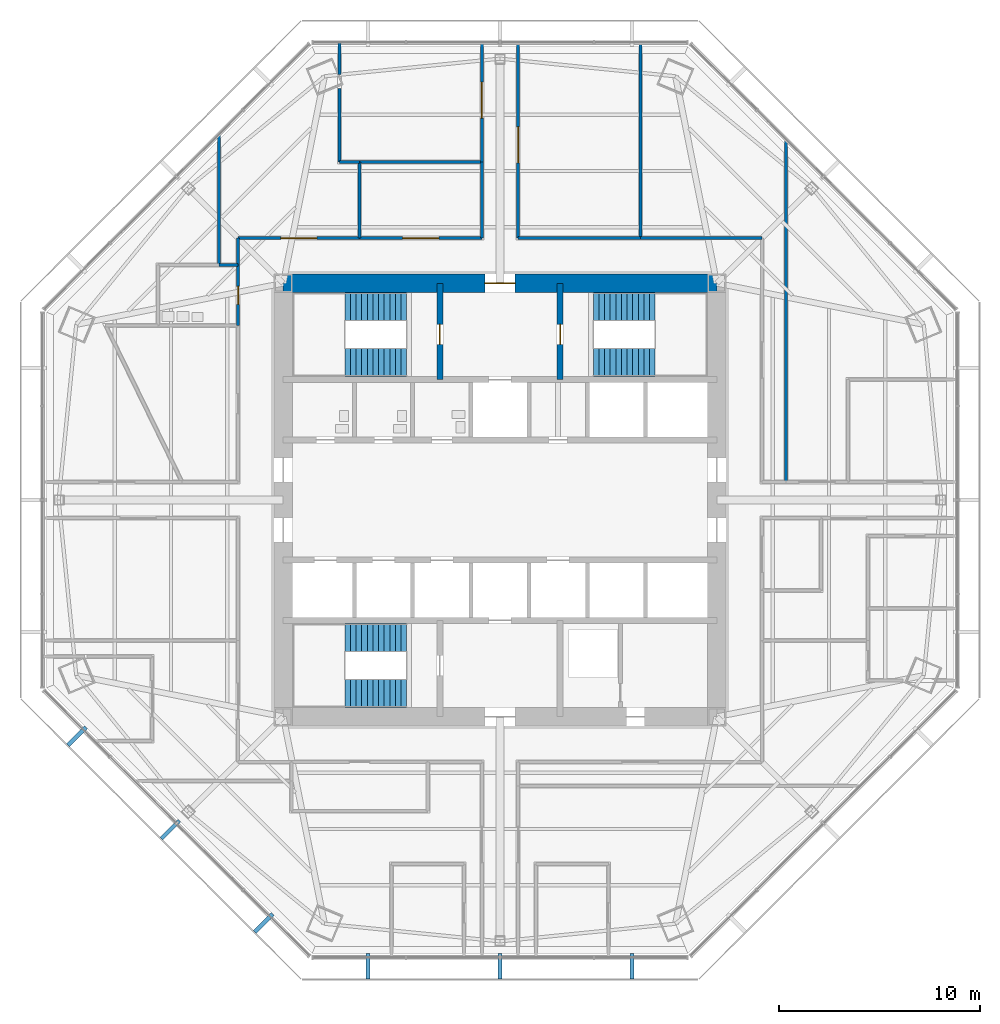
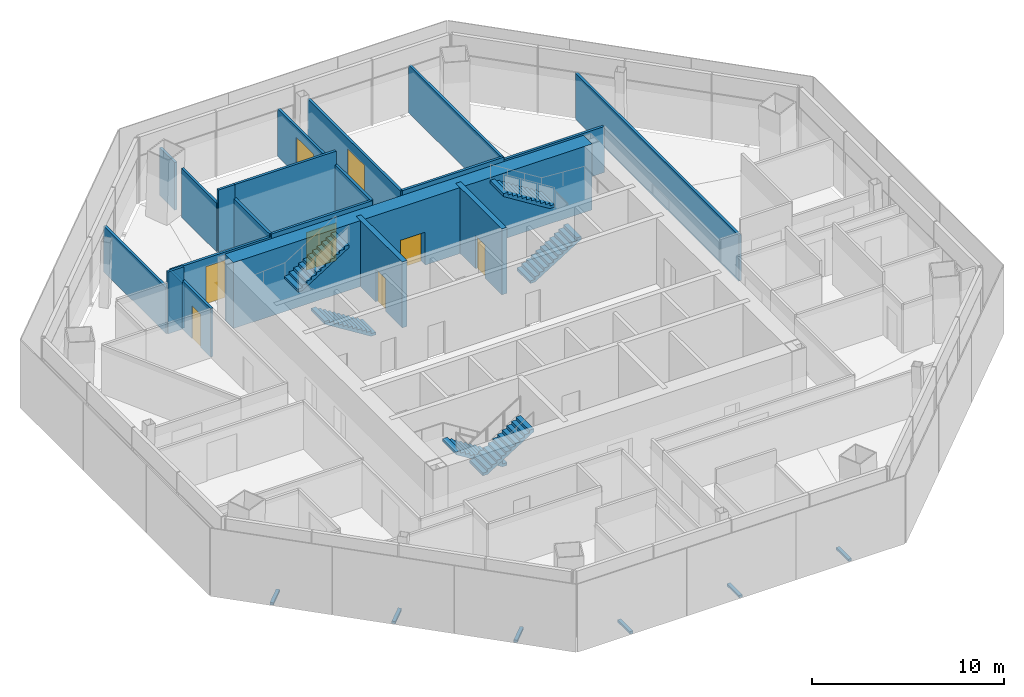
# One storey, part 11 of 15: 21 walls, 8 doors, 6 discrete accessories, 6 stair flights, 8 openings, 3 elements without a shape of their own.
"""IFC4 building model written with IfcOpenShell, lengths in metres."""

from ifc_helpers import new_model, si_unit, direction, frame, frame_2d, origin, origin_2d, place, context, subcontext, project, spatial, polyline, rectangle, outline, extrude, source, transform, mapped, material, layer, layer_set, type_object, type_shapes, element, fill, aggregate, save


model = new_model("IFC4")

# Units and contexts
model_context = context("Model", 3, precision=1e-05, world=origin(), true_north=direction((0.0, 1.0)))
body_context = subcontext(model_context, "Body", "Model", "MODEL_VIEW")
ifc_project = project(units=[si_unit("LENGTHUNIT", "METRE"), si_unit("AREAUNIT", "SQUARE_METRE"), si_unit("VOLUMEUNIT", "CUBIC_METRE"), si_unit("PLANEANGLEUNIT", "RADIAN"), si_unit("MASSUNIT", "GRAM", prefix="KILO")], contexts=[model_context])

# Site, building, storey
site_placement = place(None, origin())
site = spatial("IfcSite", under=ifc_project, at=site_placement, CompositionType="ELEMENT")
building_placement = place(site_placement, origin())
building = spatial("IfcBuilding", under=site, at=building_placement, Name="Mashrafa Tower", CompositionType="ELEMENT")
storey_placement = place(building_placement, frame((0.0, 0.0, 184.800048828125)))
storey = spatial("IfcBuildingStorey", under=building, at=storey_placement, Name="L42", CompositionType="ELEMENT", Elevation=184.800048828125)

# Wall, opening, door
ifc_material_1 = material(Name="Concrete C60/75", Category="concrete")
ifc_layer_1 = layer(ifc_material_1, 0.300048828125)
ifc_layer_set_1 = layer_set([ifc_layer_1], Name="Core wall 300 C60/75")
wall_type_1 = type_object("IfcWallType", Name="Core wall 300 C60/75", PredefinedType="SOLIDWALL", material=ifc_layer_set_1)
wall_1_placement = place(storey_placement, frame((-3.0, 6.0, 0.0), z_axis=(0.0, 0.0, 1.0), x_axis=(0.0, 1.0, 0.0)))
wall_1 = element("IfcWall", 1, at=wall_1_placement, inside=storey, type_object=wall_type_1, Name="Core wall CX-NW L42", PredefinedType="SOLIDWALL", context=body_context, shape_type="SweptSolid", body=[
    extrude(rectangle(XDim=4.800048828125, YDim=0.300048828125, at=frame_2d((2.39990234375, 0.0))), origin(), (0.0, 0.0, 1.0), 4.199951171875),
])
opening_1_placement = place(wall_1_placement, frame((1.75, 0.0, 0.0)))
opening_1 = element("IfcOpeningElement", 2, at=opening_1_placement, cuts=wall_1, Name="Opening 42.030", PredefinedType="OPENING", context=body_context, shape_type="SweptSolid", body=[
    extrude(rectangle(XDim=1.0, YDim=2.10009765625, at=frame_2d((0.5, 1.050048828125))), frame((0.0, 0.159912109375, 0.0), z_axis=(0.0, -1.0, 0.0), x_axis=(1.0, 0.0, 0.0)), (0.0, 0.0, 1.0), 0.320068359375),
])
ifc_material_2 = material(Name="Steel door", Category="steel")
door_type_1 = type_object("IfcDoorType", Name="Stair door 1000 x 2100 90 min", OperationType="USERDEFINED", PredefinedType="DOOR", material=ifc_material_2)
door_1_placement = place(opening_1_placement, origin())
door_1 = element("IfcDoor", 3, at=door_1_placement, inside=storey, type_object=door_type_1, Name="Stair S1 door L42", OperationType="SINGLE_SWING_LEFT", OverallHeight=2.10009765625, OverallWidth=1.0, PredefinedType="DOOR", context=body_context, shape_type="SweptSolid", body=[
    extrude(rectangle(XDim=1.0, YDim=2.10009765625, at=frame_2d((0.5, 1.050048828125))), frame((0.0, 0.02490234375, 0.0), z_axis=(0.0, -1.0, 0.0), x_axis=(1.0, 0.0, 0.0)), (0.0, 0.0, 1.0), 0.050048828125),
])
fill(opening_1, door_1)

wall_2_placement = place(storey_placement, frame((3.0, 6.0, 0.0), z_axis=(0.0, 0.0, 1.0), x_axis=(0.0, 1.0, 0.0)))
wall_2 = element("IfcWall", 4, at=wall_2_placement, inside=storey, type_object=wall_type_1, Name="Core wall CX-NE L42", PredefinedType="SOLIDWALL", context=body_context, shape_type="SweptSolid", body=[
    extrude(rectangle(XDim=4.800048828125, YDim=0.300048828125, at=frame_2d((2.39990234375, 0.0))), origin(), (0.0, 0.0, 1.0), 4.199951171875),
])
opening_2_placement = place(wall_2_placement, frame((1.75, 0.0, 0.0)))
opening_2 = element("IfcOpeningElement", 5, at=opening_2_placement, cuts=wall_2, Name="Opening 42.031", PredefinedType="OPENING", context=body_context, shape_type="SweptSolid", body=[
    extrude(rectangle(XDim=1.0, YDim=2.10009765625, at=frame_2d((0.5, 1.050048828125))), frame((0.0, 0.159912109375, 0.0), z_axis=(0.0, -1.0, 0.0), x_axis=(1.0, 0.0, 0.0)), (0.0, 0.0, 1.0), 0.320068359375),
])
door_2_placement = place(opening_2_placement, frame((1.0, 0.0, 0.0), z_axis=(0.0, 0.0, 1.0), x_axis=(-1.0, 0.0, 0.0)))
door_2 = element("IfcDoor", 6, at=door_2_placement, inside=storey, type_object=door_type_1, Name="Stair S2 door L42", OperationType="SINGLE_SWING_RIGHT", OverallHeight=2.10009765625, OverallWidth=1.0, PredefinedType="DOOR", context=body_context, shape_type="SweptSolid", body=[
    extrude(rectangle(XDim=1.0, YDim=2.10009765625, at=frame_2d((0.5, 1.050048828125))), frame((0.0, 0.02490234375, 0.0), z_axis=(0.0, -1.0, 0.0), x_axis=(1.0, 0.0, 0.0)), (0.0, 0.0, 1.0), 0.050048828125),
])
fill(opening_2, door_2)

ifc_material_3 = material(Name="Concrete C60/75", Category="concrete")
ifc_layer_2 = layer(ifc_material_3, 0.89990234375)
ifc_layer_set_2 = layer_set([ifc_layer_2], Name="Core wall 900 C60/75")
wall_type_2 = type_object("IfcWallType", Name="Core wall 900 C60/75", PredefinedType="SOLIDWALL", material=ifc_layer_set_2)
wall_3_placement = place(storey_placement, frame((10.800048828125, 10.800048828125, 0.0), z_axis=(0.0, 0.0, 1.0), x_axis=(-1.0, 0.0, 0.0)))
wall_3 = element("IfcWall", 7, at=wall_3_placement, inside=storey, type_object=wall_type_2, Name="Core wall CW-N L42", PredefinedType="SOLIDWALL", context=body_context, shape_type="SweptSolid", body=[
    extrude(rectangle(XDim=21.60009765625, YDim=0.89990234375, at=frame_2d((10.800048828125, 0.0))), origin(), (0.0, 0.0, 1.0), 4.199951171875),
])
opening_3_placement = place(wall_3_placement, frame((10.050048828125, 0.0, 0.0)))
opening_3 = element("IfcOpeningElement", 8, at=opening_3_placement, cuts=wall_3, Name="Opening 42.028", PredefinedType="OPENING", context=body_context, shape_type="SweptSolid", body=[
    extrude(rectangle(XDim=1.5, YDim=2.10009765625, at=frame_2d((0.75, 1.050048828125))), frame((0.0, 0.4599609375, 0.0), z_axis=(0.0, -1.0, 0.0), x_axis=(1.0, 0.0, 0.0)), (0.0, 0.0, 1.0), 0.919921875),
])
ifc_material_4 = material(Name="Steel door", Category="steel")
door_type_2 = type_object("IfcDoorType", Name="Lobby door pair 1500 x 2100 90 min", OperationType="DOUBLE_DOOR_SINGLE_SWING", PredefinedType="DOOR", material=ifc_material_4)
door_3_placement = place(opening_3_placement, origin())
door_3 = element("IfcDoor", 9, at=door_3_placement, inside=storey, type_object=door_type_2, Name="Fire-fighting lobby F1 door L42", OperationType="DOUBLE_DOOR_SINGLE_SWING", OverallHeight=2.10009765625, OverallWidth=1.5, PredefinedType="DOOR", context=body_context, shape_type="SweptSolid", body=[
    extrude(rectangle(XDim=1.5, YDim=2.10009765625, at=frame_2d((0.75, 1.050048828125))), frame((0.0, 0.02490234375, 0.0), z_axis=(0.0, -1.0, 0.0), x_axis=(1.0, 0.0, 0.0)), (0.0, 0.0, 1.0), 0.050048828125),
])
fill(opening_3, door_3)

ifc_material_5 = material(Name="Gypsum board on steel studs", Category="steel")
ifc_layer_3 = layer(ifc_material_5, 0.14990234375)
ifc_layer_set_3 = layer_set([ifc_layer_3], Name="Corridor partition 150 1 hr")
wall_type_3 = type_object("IfcWallType", Name="Corridor partition 150 1 hr", PredefinedType="PARTITIONING", material=ifc_layer_set_3)
wall_4_placement = place(storey_placement, frame((-13.050048828125, 11.700927734375, 0.0), z_axis=(0.0, 0.0, 1.0), x_axis=(0.0, -1.0, 0.0)))
wall_4 = element("IfcWall", 10, at=wall_4_placement, inside=storey, type_object=wall_type_3, Name="Corridor wall L42-003", PredefinedType="PARTITIONING", context=body_context, shape_type="SweptSolid", body=[
    extrude(rectangle(XDim=3.001953125, YDim=0.14990234375, at=frame_2d((1.5009765625, 0.0))), origin(), (0.0, 0.0, 1.0), 3.09423828125),
])
opening_4_placement = place(wall_4_placement, frame((1.051025390625, 0.0, 0.0)))
opening_4 = element("IfcOpeningElement", 11, at=opening_4_placement, cuts=wall_4, Name="Opening 42.002", PredefinedType="OPENING", context=body_context, shape_type="SweptSolid", body=[
    extrude(rectangle(XDim=0.89990234375, YDim=2.10009765625, at=frame_2d((0.449951171875, 1.050048828125))), frame((0.0, 0.0849609375, 0.0), z_axis=(0.0, -1.0, 0.0), x_axis=(1.0, 0.0, 0.0)), (0.0, 0.0, 1.0), 0.169921875),
])
ifc_material_6 = material(Name="Timber door", Category="wood")
door_type_3 = type_object("IfcDoorType", Name="Toilet door 900 x 2100", OperationType="USERDEFINED", PredefinedType="DOOR", material=ifc_material_6)
door_4_placement = place(opening_4_placement, frame((0.89990234375, 0.0, 0.0), z_axis=(0.0, 0.0, 1.0), x_axis=(-1.0, 0.0, 0.0)))
door_4 = element("IfcDoor", 12, at=door_4_placement, inside=storey, type_object=door_type_3, Name="Ablution Room L42 door", OperationType="SINGLE_SWING_RIGHT", OverallHeight=2.10009765625, OverallWidth=0.89990234375, PredefinedType="DOOR", context=body_context, shape_type="SweptSolid", body=[
    extrude(rectangle(XDim=0.89990234375, YDim=2.10009765625, at=frame_2d((0.449951171875, 1.050048828125))), frame((0.0, 0.02490234375, 0.0), z_axis=(0.0, -1.0, 0.0), x_axis=(1.0, 0.0, 0.0)), (0.0, 0.0, 1.0), 0.050048828125),
])
fill(opening_4, door_4)

wall_5_placement = place(storey_placement, frame((-0.89990234375, 22.77099609375, 0.0), z_axis=(0.0, 0.0, 1.0), x_axis=(0.0, -1.0, 0.0)))
wall_5 = element("IfcWall", 13, at=wall_5_placement, inside=storey, type_object=wall_type_3, Name="Corridor wall L42-004", PredefinedType="PARTITIONING", context=body_context, shape_type="SweptSolid", body=[
    extrude(rectangle(XDim=5.93505859375, YDim=0.14990234375, at=frame_2d((2.967529296875, 0.0))), origin(), (0.0, 0.0, 1.0), 3.0400390625),
])
opening_5_placement = place(wall_5_placement, frame((1.949462890625, 0.0, 0.0)))
opening_5 = element("IfcOpeningElement", 14, at=opening_5_placement, cuts=wall_5, Name="Opening 42.003", PredefinedType="OPENING", context=body_context, shape_type="SweptSolid", body=[
    extrude(rectangle(XDim=1.800048828125, YDim=2.39990234375, at=frame_2d((0.89990234375, 1.199951171875))), frame((0.0, 0.0849609375, 0.0), z_axis=(0.0, -1.0, 0.0), x_axis=(1.0, 0.0, 0.0)), (0.0, 0.0, 1.0), 0.169921875),
])
ifc_material_7 = material(Name="Timber door", Category="wood")
door_type_4 = type_object("IfcDoorType", Name="Door pair 1800 x 2400", OperationType="DOUBLE_DOOR_SINGLE_SWING", PredefinedType="DOOR", material=ifc_material_7)
door_5_placement = place(opening_5_placement, frame((1.800048828125, 0.0, 0.0), z_axis=(0.0, 0.0, 1.0), x_axis=(-1.0, 0.0, 0.0)))
door_5 = element("IfcDoor", 15, at=door_5_placement, inside=storey, type_object=door_type_4, Name="Board Room 42 door", OperationType="DOUBLE_DOOR_SINGLE_SWING", OverallHeight=2.39990234375, OverallWidth=1.800048828125, PredefinedType="DOOR", context=body_context, shape_type="SweptSolid", body=[
    extrude(rectangle(XDim=1.800048828125, YDim=2.39990234375, at=frame_2d((0.89990234375, 1.199951171875))), frame((0.0, 0.02490234375, 0.0), z_axis=(0.0, -1.0, 0.0), x_axis=(1.0, 0.0, 0.0)), (0.0, 0.0, 1.0), 0.050048828125),
])
fill(opening_5, door_5)

# Walls
wall_6_placement = place(storey_placement, frame((13.050048828125, 13.050048828125, 0.0), z_axis=(0.0, 0.0, 1.0), x_axis=(-1.0, 0.0, 0.0)))
element("IfcWall", 16, at=wall_6_placement, inside=storey, type_object=wall_type_3, Name="Corridor wall L42-012", PredefinedType="PARTITIONING", context=body_context, shape_type="SweptSolid", body=[
    extrude(rectangle(XDim=6.051025390625, YDim=0.14990234375, at=frame_2d((3.025390625, 0.0))), origin(), (0.0, 0.0, 1.0), 2.928955078125),
])
wall_7_placement = place(storey_placement, frame((7.0009765625, 13.050048828125, 0.0), z_axis=(0.0, 0.0, 1.0), x_axis=(-1.0, 0.0, 0.0)))
element("IfcWall", 17, at=wall_7_placement, inside=storey, type_object=wall_type_3, Name="Corridor wall L42-013", PredefinedType="PARTITIONING", context=body_context, shape_type="SweptSolid", body=[
    extrude(rectangle(XDim=6.10107421875, YDim=0.14990234375, at=frame_2d((3.050537109375, 0.0))), origin(), (0.0, 0.0, 1.0), 3.09423828125),
])

# Wall, opening, door
wall_8_placement = place(storey_placement, frame((0.89990234375, 13.050048828125, 0.0), z_axis=(0.0, 0.0, 1.0), x_axis=(0.0, 1.0, 0.0)))
wall_8 = element("IfcWall", 18, at=wall_8_placement, inside=storey, type_object=wall_type_3, Name="Corridor wall L42-014", PredefinedType="PARTITIONING", context=body_context, shape_type="SweptSolid", body=[
    extrude(rectangle(XDim=9.720947265625, YDim=0.14990234375, at=frame_2d((4.8603515625, 0.0))), origin(), (0.0, 0.0, 1.0), 3.0400390625),
])
opening_6_placement = place(wall_8_placement, frame((3.743408203125, 0.0, 0.0)))
opening_6 = element("IfcOpeningElement", 19, at=opening_6_placement, cuts=wall_8, Name="Opening 42.014", PredefinedType="OPENING", context=body_context, shape_type="SweptSolid", body=[
    extrude(rectangle(XDim=1.800048828125, YDim=2.39990234375, at=frame_2d((0.89990234375, 1.199951171875))), frame((0.0, 0.0849609375, 0.0), z_axis=(0.0, -1.0, 0.0), x_axis=(1.0, 0.0, 0.0)), (0.0, 0.0, 1.0), 0.169921875),
])
door_6_placement = place(opening_6_placement, frame((1.800048828125, 0.0, 0.0), z_axis=(0.0, 0.0, 1.0), x_axis=(-1.0, 0.0, 0.0)))
door_6 = element("IfcDoor", 20, at=door_6_placement, inside=storey, type_object=door_type_4, Name="General Counsel's Office 42-NE1 door", OperationType="DOUBLE_DOOR_SINGLE_SWING", OverallHeight=2.39990234375, OverallWidth=1.800048828125, PredefinedType="DOOR", context=body_context, shape_type="SweptSolid", body=[
    extrude(rectangle(XDim=1.800048828125, YDim=2.39990234375, at=frame_2d((0.89990234375, 1.199951171875))), frame((0.0, 0.02490234375, 0.0), z_axis=(0.0, -1.0, 0.0), x_axis=(1.0, 0.0, 0.0)), (0.0, 0.0, 1.0), 0.050048828125),
])
fill(opening_6, door_6)

wall_9_placement = place(storey_placement, frame((-6.9990234375, 13.050048828125, 0.0), z_axis=(0.0, 0.0, 1.0), x_axis=(-1.0, 0.0, 0.0)))
wall_9 = element("IfcWall", 21, at=wall_9_placement, inside=storey, type_object=wall_type_3, Name="Corridor wall L42-016", PredefinedType="PARTITIONING", context=body_context, shape_type="SweptSolid", body=[
    extrude(rectangle(XDim=6.051025390625, YDim=0.14990234375, at=frame_2d((3.025390625, 0.0))), origin(), (0.0, 0.0, 1.0), 2.928955078125),
])
opening_7_placement = place(wall_9_placement, frame((2.12548828125, 0.0, 0.0)))
opening_7 = element("IfcOpeningElement", 22, at=opening_7_placement, cuts=wall_9, Name="Opening 42.016", PredefinedType="OPENING", context=body_context, shape_type="SweptSolid", body=[
    extrude(rectangle(XDim=1.800048828125, YDim=2.39990234375, at=frame_2d((0.89990234375, 1.199951171875))), frame((0.0, 0.0849609375, 0.0), z_axis=(0.0, -1.0, 0.0), x_axis=(1.0, 0.0, 0.0)), (0.0, 0.0, 1.0), 0.169921875),
])
door_7_placement = place(opening_7_placement, frame((1.800048828125, 0.0, 0.0), z_axis=(0.0, 0.0, 1.0), x_axis=(-1.0, 0.0, 0.0)))
door_7 = element("IfcDoor", 23, at=door_7_placement, inside=storey, type_object=door_type_4, Name="Corporate Affairs Office 42-NW2 door", OperationType="DOUBLE_DOOR_SINGLE_SWING", OverallHeight=2.39990234375, OverallWidth=1.800048828125, PredefinedType="DOOR", context=body_context, shape_type="SweptSolid", body=[
    extrude(rectangle(XDim=1.800048828125, YDim=2.39990234375, at=frame_2d((0.89990234375, 1.199951171875))), frame((0.0, 0.02490234375, 0.0), z_axis=(0.0, -1.0, 0.0), x_axis=(1.0, 0.0, 0.0)), (0.0, 0.0, 1.0), 0.050048828125),
])
fill(opening_7, door_7)

# Walls
wall_10_placement = place(storey_placement, frame((-13.050048828125, 13.050048828125, 0.0), z_axis=(0.0, 0.0, 1.0), x_axis=(0.0, -1.0, 0.0)))
element("IfcWall", 24, at=wall_10_placement, inside=storey, type_object=wall_type_3, Name="Corridor wall L42-017", PredefinedType="PARTITIONING", context=body_context, shape_type="SweptSolid", body=[
    extrude(rectangle(XDim=1.35107421875, YDim=0.14990234375, at=frame_2d((0.675537109375, 0.0))), origin(), (0.0, 0.0, 1.0), 2.928955078125),
])
wall_11_placement = place(storey_placement, frame((-0.89990234375, 16.837890625, 0.0), z_axis=(0.0, 0.0, 1.0), x_axis=(0.0, -1.0, 0.0)))
element("IfcWall", 25, at=wall_11_placement, inside=storey, type_object=wall_type_3, Name="Corridor wall L42-018", PredefinedType="PARTITIONING", context=body_context, shape_type="SweptSolid", body=[
    extrude(rectangle(XDim=3.787841796875, YDim=0.14990234375, at=frame_2d((1.89404296875, 0.0))), origin(), (0.0, 0.0, 1.0), 3.09423828125),
])

# Wall, opening, door
wall_12_placement = place(storey_placement, frame((-0.89990234375, 13.050048828125, 0.0), z_axis=(0.0, 0.0, 1.0), x_axis=(-1.0, 0.0, 0.0)))
wall_12 = element("IfcWall", 26, at=wall_12_placement, inside=storey, type_object=wall_type_3, Name="Corridor wall L42-019", PredefinedType="PARTITIONING", context=body_context, shape_type="SweptSolid", body=[
    extrude(rectangle(XDim=6.10107421875, YDim=0.14990234375, at=frame_2d((3.050537109375, 0.0))), origin(), (0.0, 0.0, 1.0), 3.09423828125),
])
opening_8_placement = place(wall_12_placement, frame((2.150390625, 0.0, 0.0)))
opening_8 = element("IfcOpeningElement", 27, at=opening_8_placement, cuts=wall_12, Name="Opening 42.017", PredefinedType="OPENING", context=body_context, shape_type="SweptSolid", body=[
    extrude(rectangle(XDim=1.800048828125, YDim=2.39990234375, at=frame_2d((0.89990234375, 1.199951171875))), frame((0.0, 0.0849609375, 0.0), z_axis=(0.0, -1.0, 0.0), x_axis=(1.0, 0.0, 0.0)), (0.0, 0.0, 1.0), 0.169921875),
])
door_8_placement = place(opening_8_placement, frame((1.800048828125, 0.0, 0.0), z_axis=(0.0, 0.0, 1.0), x_axis=(-1.0, 0.0, 0.0)))
door_8 = element("IfcDoor", 28, at=door_8_placement, inside=storey, type_object=door_type_4, Name="General Counsel's Office 42-NW1 door", OperationType="DOUBLE_DOOR_SINGLE_SWING", OverallHeight=2.39990234375, OverallWidth=1.800048828125, PredefinedType="DOOR", context=body_context, shape_type="SweptSolid", body=[
    extrude(rectangle(XDim=1.800048828125, YDim=2.39990234375, at=frame_2d((0.89990234375, 1.199951171875))), frame((0.0, 0.02490234375, 0.0), z_axis=(0.0, -1.0, 0.0), x_axis=(1.0, 0.0, 0.0)), (0.0, 0.0, 1.0), 0.050048828125),
])
fill(opening_8, door_8)

# Walls
ifc_material_8 = material(Name="Gypsum board on steel studs", Category="steel")
ifc_layer_4 = layer(ifc_material_8, 0.14990234375)
ifc_layer_set_4 = layer_set([ifc_layer_4], Name="Partition 150")
wall_type_4 = type_object("IfcWallType", Name="Partition 150", PredefinedType="PARTITIONING", material=ifc_layer_set_4)
wall_13_placement = place(storey_placement, frame((-13.050048828125, 11.699951171875, 0.0), z_axis=(0.0, 0.0, 1.0), x_axis=(-1.0, 0.0, 0.0)))
element("IfcWall", 29, at=wall_13_placement, inside=storey, type_object=wall_type_4, Name="Partition wall L42-037", PredefinedType="PARTITIONING", context=body_context, shape_type="SweptSolid", body=[
    extrude(rectangle(XDim=0.950927734375, YDim=0.14990234375, at=frame_2d((0.4755859375, 0.0))), origin(), (0.0, 0.0, 1.0), 3.949951171875),
])
wall_14_placement = place(storey_placement, frame((-8.0, 22.76904296875, 0.0), z_axis=(0.0, 0.0, 1.0), x_axis=(0.0, -1.0, 0.0)))
element("IfcWall", 30, at=wall_14_placement, inside=storey, type_object=wall_type_4, Name="Partition wall L42-038", PredefinedType="PARTITIONING", context=body_context, shape_type="SweptSolid", body=[
    extrude(rectangle(XDim=1.57666015625, YDim=0.14990234375, at=frame_2d((0.788330078125, 0.0))), origin(), (0.0, 0.0, 1.0), 3.0400390625),
])
wall_15_placement = place(storey_placement, frame((-8.0, 20.4990234375, 0.0), z_axis=(0.0, 0.0, 1.0), x_axis=(0.0, -1.0, 0.0)))
element("IfcWall", 31, at=wall_15_placement, inside=storey, type_object=wall_type_4, Name="Partition wall L42-039", PredefinedType="PARTITIONING", context=body_context, shape_type="SweptSolid", body=[
    extrude(rectangle(XDim=3.662109375, YDim=0.14990234375, at=frame_2d((1.8310546875, 0.0))), origin(), (0.0, 0.0, 1.0), 3.099365234375),
])
wall_16_placement = place(storey_placement, frame((-8.0, 16.8369140625, 0.0), z_axis=(0.0, 0.0, 1.0), x_axis=(1.0, 0.0, 0.0)))
element("IfcWall", 32, at=wall_16_placement, inside=storey, type_object=wall_type_4, Name="Partition wall L42-040", PredefinedType="PARTITIONING", context=body_context, shape_type="SweptSolid", body=[
    extrude(rectangle(XDim=1.0009765625, YDim=0.14990234375, at=frame_2d((0.50048828125, 0.0))), origin(), (0.0, 0.0, 1.0), 3.949951171875),
])
wall_17_placement = place(storey_placement, frame((-7.0009765625, 16.8369140625, 0.0), z_axis=(0.0, 0.0, 1.0), x_axis=(1.0, 0.0, 0.0)))
element("IfcWall", 33, at=wall_17_placement, inside=storey, type_object=wall_type_4, Name="Partition wall L42-041", PredefinedType="PARTITIONING", context=body_context, shape_type="SweptSolid", body=[
    extrude(rectangle(XDim=6.10107421875, YDim=0.14990234375, at=frame_2d((3.050537109375, 0.0))), origin(), (0.0, 0.0, 1.0), 3.949951171875),
])
wall_18_placement = place(storey_placement, frame((14.25, 17.951904296875, 0.0), z_axis=(0.0, 0.0, 1.0), x_axis=(0.0, -1.0, 0.0)))
element("IfcWall", 34, at=wall_18_placement, inside=storey, type_object=wall_type_4, Name="Partition wall L42-067", PredefinedType="PARTITIONING", context=body_context, shape_type="SweptSolid", body=[
    extrude(rectangle(XDim=17.052001953125, YDim=0.14990234375, at=frame_2d((8.52587890625, 0.0))), origin(), (0.0, 0.0, 1.0), 2.928955078125),
])
wall_19_placement = place(storey_placement, frame((7.0, 22.76904296875, 0.0), z_axis=(0.0, 0.0, 1.0), x_axis=(0.0, -1.0, 0.0)))
element("IfcWall", 35, at=wall_19_placement, inside=storey, type_object=wall_type_4, Name="Partition wall L42-068", PredefinedType="PARTITIONING", context=body_context, shape_type="SweptSolid", body=[
    extrude(rectangle(XDim=9.718994140625, YDim=0.14990234375, at=frame_2d((4.859375, 0.0))), origin(), (0.0, 0.0, 1.0), 3.0400390625),
])
wall_20_placement = place(storey_placement, frame((-14.0, 11.699951171875, 0.0), z_axis=(0.0, 0.0, 1.0), x_axis=(0.0, 1.0, 0.0)))
element("IfcWall", 36, at=wall_20_placement, inside=storey, type_object=wall_type_4, Name="Partition wall L42-069", PredefinedType="PARTITIONING", context=body_context, shape_type="SweptSolid", body=[
    extrude(rectangle(XDim=6.501953125, YDim=0.14990234375, at=frame_2d((3.2509765625, 0.0))), origin(), (0.0, 0.0, 1.0), 2.928955078125),
])
wall_21_placement = place(storey_placement, frame((-7.0, 13.050048828125, 0.0), z_axis=(0.0, 0.0, 1.0), x_axis=(0.0, 1.0, 0.0)))
element("IfcWall", 37, at=wall_21_placement, inside=storey, type_object=wall_type_4, Name="Partition wall L42-070", PredefinedType="PARTITIONING", context=body_context, shape_type="SweptSolid", body=[
    extrude(rectangle(XDim=3.786865234375, YDim=0.14990234375, at=frame_2d((1.8935546875, 0.0))), origin(), (0.0, 0.0, 1.0), 3.09423828125),
])

# Stair, stair flights
ifc_material_9 = material(Name="Exit stair 1400")
stair_type = type_object("IfcStairType", Name="Exit stair 1400", PredefinedType="HALF_TURN_STAIR", material=ifc_material_9)
stair_1_placement = place(storey_placement, origin())
stair_1 = element("IfcStair", 38, at=stair_1_placement, inside=storey, type_object=stair_type, Name="Stair S1 L42", PredefinedType="HALF_TURN_STAIR")
ifc_material_10 = material(Name="Concrete C32/40", Category="concrete")
stair_flight_type = type_object("IfcStairFlightType", Name="Stair flight 1400", PredefinedType="STRAIGHT", material=ifc_material_10)
stair_flight_1_placement = place(storey_placement, frame((-4.64990234375, 6.85009765625, 0.0), z_axis=(0.0, 0.0, 1.0), x_axis=(-1.0, 0.0, 0.0)))
stair_flight_1 = element("IfcStairFlight", 39, at=stair_flight_1_placement, type_object=stair_flight_type, Name="S1 flight 1", NumberOfRisers=12, NumberOfTreads=11, PredefinedType="STRAIGHT", RiserHeight=0.175, TreadLength=0.28, context=body_context, shape_type="SweptSolid", body=[
    extrude(outline(polyline([(0.0, 0.0), (0.0, 0.175048828125), (0.280029296875, 0.175048828125), (0.280029296875, 0.35009765625), (0.56005859375, 0.35009765625), (0.56005859375, 0.52490234375), (0.840087890625, 0.52490234375), (0.840087890625, 0.699951171875), (1.1201171875, 0.699951171875), (1.1201171875, 0.875), (1.39990234375, 0.875), (1.39990234375, 1.050048828125), (1.679931640625, 1.050048828125), (1.679931640625, 1.22509765625), (1.9599609375, 1.22509765625), (1.9599609375, 1.39990234375), (2.239990234375, 1.39990234375), (2.239990234375, 1.574951171875), (2.52001953125, 1.574951171875), (2.52001953125, 1.75), (2.800048828125, 1.75), (2.800048828125, 1.925048828125), (3.080078125, 1.925048828125), (3.080078125, 2.10009765625), (3.080078125, 1.748291015625), (0.28271484375, 0.0), (0.0, 0.0)])), frame((0.0, 0.699951171875, 0.0), z_axis=(0.0, -1.0, 0.0), x_axis=(1.0, 0.0, 0.0)), (0.0, 0.0, 1.0), 1.39990234375),
])
stair_flight_2_placement = place(storey_placement, frame((-7.72998046875, 9.64990234375, 2.099853515625), z_axis=(0.0, 0.0, 1.0), x_axis=(1.0, 0.0, 0.0)))
stair_flight_2 = element("IfcStairFlight", 40, at=stair_flight_2_placement, type_object=stair_flight_type, Name="S1 flight 2", NumberOfRisers=12, NumberOfTreads=11, PredefinedType="STRAIGHT", RiserHeight=0.175, TreadLength=0.28, context=body_context, shape_type="SweptSolid", body=[
    extrude(outline(polyline([(0.0, 0.0), (0.0, 0.175048828125), (0.280029296875, 0.175048828125), (0.280029296875, 0.35009765625), (0.56005859375, 0.35009765625), (0.56005859375, 0.52490234375), (0.840087890625, 0.52490234375), (0.840087890625, 0.699951171875), (1.1201171875, 0.699951171875), (1.1201171875, 0.875), (1.39990234375, 0.875), (1.39990234375, 1.050048828125), (1.679931640625, 1.050048828125), (1.679931640625, 1.22509765625), (1.9599609375, 1.22509765625), (1.9599609375, 1.39990234375), (2.239990234375, 1.39990234375), (2.239990234375, 1.574951171875), (2.52001953125, 1.574951171875), (2.52001953125, 1.75), (2.800048828125, 1.75), (2.800048828125, 1.925048828125), (3.080078125, 1.925048828125), (3.080078125, 2.10009765625), (3.080078125, 1.748291015625), (0.28271484375, 0.0), (0.0, 0.0)])), frame((0.0, 0.699951171875, 0.0), z_axis=(0.0, -1.0, 0.0), x_axis=(1.0, 0.0, 0.0)), (0.0, 0.0, 1.0), 1.39990234375),
])
aggregate(stair_1, [stair_flight_1, stair_flight_2])

stair_2_placement = place(storey_placement, origin())
stair_2 = element("IfcStair", 41, at=stair_2_placement, inside=storey, type_object=stair_type, Name="Stair S2 L42", PredefinedType="HALF_TURN_STAIR")
stair_flight_3_placement = place(storey_placement, frame((4.64990234375, 6.85009765625, 0.0), z_axis=(0.0, 0.0, 1.0), x_axis=(1.0, 0.0, 0.0)))
stair_flight_3 = element("IfcStairFlight", 42, at=stair_flight_3_placement, type_object=stair_flight_type, Name="S2 flight 1", NumberOfRisers=12, NumberOfTreads=11, PredefinedType="STRAIGHT", RiserHeight=0.175, TreadLength=0.28, context=body_context, shape_type="SweptSolid", body=[
    extrude(outline(polyline([(0.0, 0.0), (0.0, 0.175048828125), (0.280029296875, 0.175048828125), (0.280029296875, 0.35009765625), (0.56005859375, 0.35009765625), (0.56005859375, 0.52490234375), (0.840087890625, 0.52490234375), (0.840087890625, 0.699951171875), (1.1201171875, 0.699951171875), (1.1201171875, 0.875), (1.39990234375, 0.875), (1.39990234375, 1.050048828125), (1.679931640625, 1.050048828125), (1.679931640625, 1.22509765625), (1.9599609375, 1.22509765625), (1.9599609375, 1.39990234375), (2.239990234375, 1.39990234375), (2.239990234375, 1.574951171875), (2.52001953125, 1.574951171875), (2.52001953125, 1.75), (2.800048828125, 1.75), (2.800048828125, 1.925048828125), (3.080078125, 1.925048828125), (3.080078125, 2.10009765625), (3.080078125, 1.748291015625), (0.28271484375, 0.0), (0.0, 0.0)])), frame((0.0, 0.699951171875, 0.0), z_axis=(0.0, -1.0, 0.0), x_axis=(1.0, 0.0, 0.0)), (0.0, 0.0, 1.0), 1.39990234375),
])
stair_flight_4_placement = place(storey_placement, frame((7.72998046875, 9.64990234375, 2.099853515625), z_axis=(0.0, 0.0, 1.0), x_axis=(-1.0, 0.0, 0.0)))
stair_flight_4 = element("IfcStairFlight", 43, at=stair_flight_4_placement, type_object=stair_flight_type, Name="S2 flight 2", NumberOfRisers=12, NumberOfTreads=11, PredefinedType="STRAIGHT", RiserHeight=0.175, TreadLength=0.28, context=body_context, shape_type="SweptSolid", body=[
    extrude(outline(polyline([(0.0, 0.0), (0.0, 0.175048828125), (0.280029296875, 0.175048828125), (0.280029296875, 0.35009765625), (0.56005859375, 0.35009765625), (0.56005859375, 0.52490234375), (0.840087890625, 0.52490234375), (0.840087890625, 0.699951171875), (1.1201171875, 0.699951171875), (1.1201171875, 0.875), (1.39990234375, 0.875), (1.39990234375, 1.050048828125), (1.679931640625, 1.050048828125), (1.679931640625, 1.22509765625), (1.9599609375, 1.22509765625), (1.9599609375, 1.39990234375), (2.239990234375, 1.39990234375), (2.239990234375, 1.574951171875), (2.52001953125, 1.574951171875), (2.52001953125, 1.75), (2.800048828125, 1.75), (2.800048828125, 1.925048828125), (3.080078125, 1.925048828125), (3.080078125, 2.10009765625), (3.080078125, 1.748291015625), (0.28271484375, 0.0), (0.0, 0.0)])), frame((0.0, 0.699951171875, 0.0), z_axis=(0.0, -1.0, 0.0), x_axis=(1.0, 0.0, 0.0)), (0.0, 0.0, 1.0), 1.39990234375),
])
aggregate(stair_2, [stair_flight_3, stair_flight_4])

stair_3_placement = place(storey_placement, origin())
stair_3 = element("IfcStair", 44, at=stair_3_placement, inside=storey, type_object=stair_type, Name="Stair S3 L42", PredefinedType="HALF_TURN_STAIR")
stair_flight_5_placement = place(storey_placement, frame((-4.64990234375, -6.85009765625, 0.0), z_axis=(0.0, 0.0, 1.0), x_axis=(-1.0, 0.0, 0.0)))
stair_flight_5 = element("IfcStairFlight", 45, at=stair_flight_5_placement, type_object=stair_flight_type, Name="S3 flight 1", NumberOfRisers=12, NumberOfTreads=11, PredefinedType="STRAIGHT", RiserHeight=0.175, TreadLength=0.28, context=body_context, shape_type="SweptSolid", body=[
    extrude(outline(polyline([(0.0, 0.0), (0.0, 0.175048828125), (0.280029296875, 0.175048828125), (0.280029296875, 0.35009765625), (0.56005859375, 0.35009765625), (0.56005859375, 0.52490234375), (0.840087890625, 0.52490234375), (0.840087890625, 0.699951171875), (1.1201171875, 0.699951171875), (1.1201171875, 0.875), (1.39990234375, 0.875), (1.39990234375, 1.050048828125), (1.679931640625, 1.050048828125), (1.679931640625, 1.22509765625), (1.9599609375, 1.22509765625), (1.9599609375, 1.39990234375), (2.239990234375, 1.39990234375), (2.239990234375, 1.574951171875), (2.52001953125, 1.574951171875), (2.52001953125, 1.75), (2.800048828125, 1.75), (2.800048828125, 1.925048828125), (3.080078125, 1.925048828125), (3.080078125, 2.10009765625), (3.080078125, 1.748291015625), (0.28271484375, 0.0), (0.0, 0.0)])), frame((0.0, 0.699951171875, 0.0), z_axis=(0.0, -1.0, 0.0), x_axis=(1.0, 0.0, 0.0)), (0.0, 0.0, 1.0), 1.39990234375),
])
stair_flight_6_placement = place(storey_placement, frame((-7.72998046875, -9.64990234375, 2.099853515625), z_axis=(0.0, 0.0, 1.0), x_axis=(1.0, 0.0, 0.0)))
stair_flight_6 = element("IfcStairFlight", 46, at=stair_flight_6_placement, type_object=stair_flight_type, Name="S3 flight 2", NumberOfRisers=12, NumberOfTreads=11, PredefinedType="STRAIGHT", RiserHeight=0.175, TreadLength=0.28, context=body_context, shape_type="SweptSolid", body=[
    extrude(outline(polyline([(0.0, 0.0), (0.0, 0.175048828125), (0.280029296875, 0.175048828125), (0.280029296875, 0.35009765625), (0.56005859375, 0.35009765625), (0.56005859375, 0.52490234375), (0.840087890625, 0.52490234375), (0.840087890625, 0.699951171875), (1.1201171875, 0.699951171875), (1.1201171875, 0.875), (1.39990234375, 0.875), (1.39990234375, 1.050048828125), (1.679931640625, 1.050048828125), (1.679931640625, 1.22509765625), (1.9599609375, 1.22509765625), (1.9599609375, 1.39990234375), (2.239990234375, 1.39990234375), (2.239990234375, 1.574951171875), (2.52001953125, 1.574951171875), (2.52001953125, 1.75), (2.800048828125, 1.75), (2.800048828125, 1.925048828125), (3.080078125, 1.925048828125), (3.080078125, 2.10009765625), (3.080078125, 1.748291015625), (0.28271484375, 0.0), (0.0, 0.0)])), frame((0.0, 0.699951171875, 0.0), z_axis=(0.0, -1.0, 0.0), x_axis=(1.0, 0.0, 0.0)), (0.0, 0.0, 1.0), 1.39990234375),
])
aggregate(stair_3, [stair_flight_5, stair_flight_6])

# Discrete accessories
ifc_material_11 = material(Name="Stainless steel screen bracket", Category="steel")
discrete_accessory_type = type_object("IfcDiscreteAccessoryType", Name="Screen support bracket 200 x 150", PredefinedType="BRACKET", material=ifc_material_11)
shared_shape = source(origin(), body_context, "Body", "SweptSolid", [
    extrude(rectangle(XDim=0.199951171875, YDim=1.27001953125, at=origin_2d()), origin(), (0.0, 0.0, 1.0), 0.14990234375),
])
type_shapes(discrete_accessory_type, [shared_shape])
for number, where, z_axis, x_axis, name in (
    (47, (-21.073974609375, -11.766845703125, -0.14990234375), (0.0, 0.0, 1.0), (0.707106781187, -0.707106781187, 0.0), "Screen support bracket L42 south-west 1"),
    (48, (-16.42041015625, -16.42041015625, -0.14990234375), (0.0, 0.0, 1.0), (0.707106781187, -0.707106781187, 0.0), "Screen support bracket L42 south-west 2"),
    (49, (-11.766845703125, -21.073974609375, -0.14990234375), (0.0, 0.0, 1.0), (0.707106781187, -0.707106781187, 0.0), "Screen support bracket L42 south-west 3"),
    (50, (-6.581298828125, -23.221923828125, -0.14990234375), (0.0, 0.0, 1.0), (1.0, 0.0, 0.0), "Screen support bracket L42 south 1"),
    (51, (0.0, -23.221923828125, -0.14990234375), (0.0, 0.0, 1.0), (1.0, 0.0, 0.0), "Screen support bracket L42 south 2"),
    (52, (6.581298828125, -23.221923828125, -0.14990234375), (0.0, 0.0, 1.0), (1.0, 0.0, 0.0), "Screen support bracket L42 south 3"),
):
    element("IfcDiscreteAccessory", number, at=place(storey_placement, frame(where, z_axis=z_axis, x_axis=x_axis)), inside=storey, type_object=discrete_accessory_type, Name=name, PredefinedType="BRACKET", context=body_context, shape_type="MappedRepresentation", body=[
        mapped(shared_shape, transform((0.0, 0.0, 0.0))),
    ])

save(model, "model.ifc")
